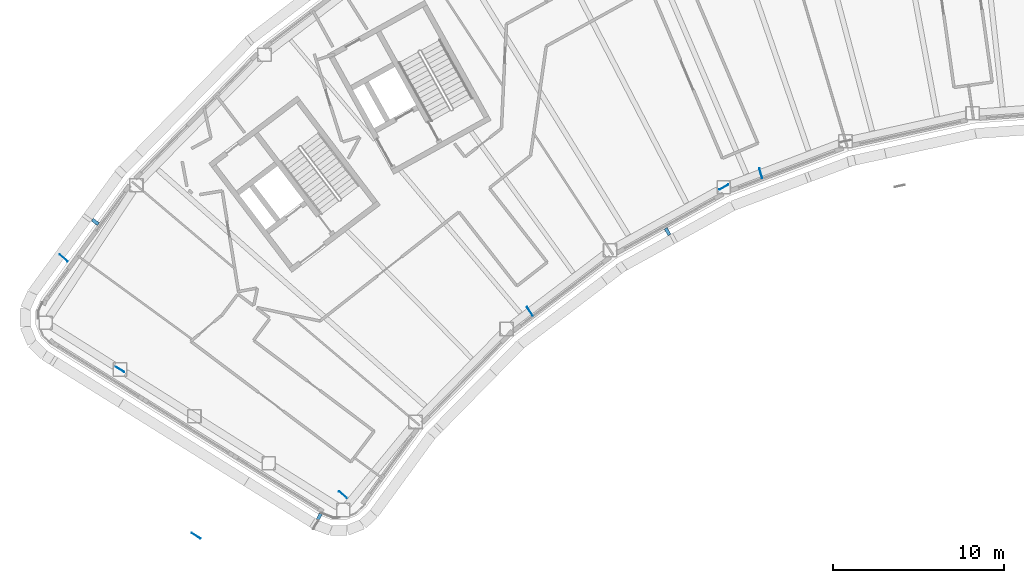
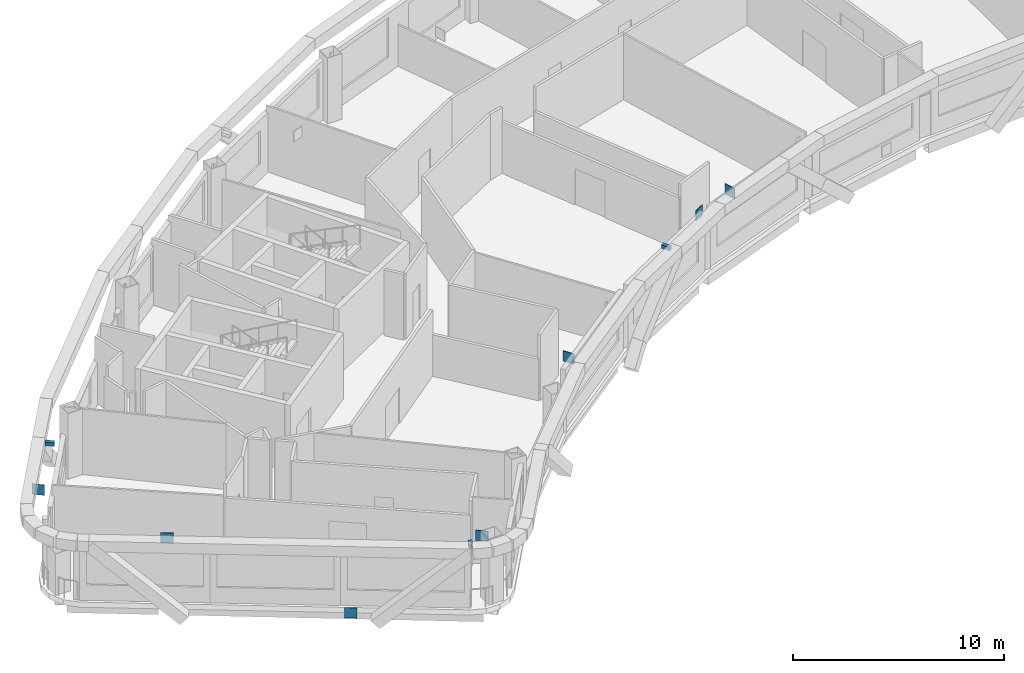
# One storey, part 13 of 21: 10 discrete accessories.
"""IFC4 building model written with IfcOpenShell, lengths in metres."""

from ifc_helpers import new_model, si_unit, direction, frame, origin, origin_2d, place, context, subcontext, project, spatial, rectangle, extrude, material, type_object, element, save


model = new_model("IFC4")

# Units and contexts
model_context = context("Model", 3, precision=1e-05, world=origin(), true_north=direction((0.0, 1.0)))
body_context = subcontext(model_context, "Body", "Model", "MODEL_VIEW")
ifc_project = project(units=[si_unit("LENGTHUNIT", "METRE"), si_unit("AREAUNIT", "SQUARE_METRE"), si_unit("VOLUMEUNIT", "CUBIC_METRE"), si_unit("PLANEANGLEUNIT", "RADIAN"), si_unit("MASSUNIT", "GRAM", prefix="KILO")], contexts=[model_context])

# Site, building, storey
site_placement = place(None, origin())
site = spatial("IfcSite", under=ifc_project, at=site_placement, CompositionType="ELEMENT")
building_placement = place(site_placement, origin())
building = spatial("IfcBuilding", under=site, at=building_placement, Name="Tuul Gate Civic Tower", CompositionType="ELEMENT")
storey_placement = place(building_placement, frame((0.0, 0.0, 273.60009765625)))
storey = spatial("IfcBuildingStorey", under=building, at=storey_placement, Name="Level 62", CompositionType="ELEMENT", Elevation=273.60009765625)

# Discrete accessories
ifc_material_1 = material(Name="Steel S355", Category="steel")
discrete_accessory_type_1 = type_object("IfcDiscreteAccessoryType", Name="Gusset plate", PredefinedType="BRACKET", material=ifc_material_1)
for number, where, z_axis, x_axis, name in (
    (1, (-49.58447265625, -16.8837890625, 2.796875), (0.0, 0.0, 1.0), (0.76282474496, -0.646605295738, 0.0), "Gusset plate"),
    (2, (-33.292724609375, -30.695556640625, 2.796630859375), (0.0, 0.0, 1.0), (-0.76282474496, 0.646605295738, 0.0), "Gusset plate"),
    (3, (-8.9033203125, -11.936279296875, 2.7958984375), (0.0, 0.0, 1.0), (-0.285169103875, 0.958477220488, 0.0), "Gusset plate"),
    (4, (-22.37841796875, -19.99755859375, 2.7958984375), (0.0, 0.0, 1.0), (-0.54674333885, 0.837300257627, 0.0), "Gusset plate"),
    (5, (-11.05517578125, -12.748291015625, 2.795654296875), (0.0, 0.0, 1.0), (-0.874598044765, -0.484848698146, 0.0), "Gusset plate"),
    (6, (-41.85498046875, -33.10009765625, 2.795654296875), (0.0, 0.0, 1.0), (-0.84627513954, 0.532746082291, 0.0), "Gusset plate"),
    (7, (-46.298095703125, -23.388916015625, 2.795654296875), (0.0, 0.0, 1.0), (0.84627513954, -0.532746082291, 0.0), "Gusset plate"),
):
    element("IfcDiscreteAccessory", number, at=place(storey_placement, frame(where, z_axis=z_axis, x_axis=x_axis)), inside=storey, type_object=discrete_accessory_type_1, Name=name, PredefinedType="BRACKET", context=body_context, shape_type="SweptSolid", body=[
        extrude(rectangle(XDim=0.60009765625, YDim=0.030029296875, at=origin_2d()), origin(), (0.0, 0.0, 1.0), 0.60009765625),
    ])
ifc_material_2 = material(Name="Stainless steel", Category="steel")
discrete_accessory_type_2 = type_object("IfcDiscreteAccessoryType", Name="Screen bracket", PredefinedType="BRACKET", material=ifc_material_2)
discrete_accessory_1_placement = place(storey_placement, frame((-47.737548828125, -14.77880859375, 3.75), z_axis=(0.0, 0.0, 1.0), x_axis=(-0.802953773948, 0.596041304695, 0.0)))
element("IfcDiscreteAccessory", 8, at=discrete_accessory_1_placement, inside=storey, type_object=discrete_accessory_type_2, Name="Screen bracket 17", PredefinedType="BRACKET", context=body_context, shape_type="SweptSolid", body=[
    extrude(rectangle(XDim=0.449951171875, YDim=0.199951171875, at=origin_2d()), origin(), (0.0, 0.0, 1.0), 0.199951171875),
])
discrete_accessory_2_placement = place(storey_placement, frame((-34.661376953125, -31.96142578125, 3.75), z_axis=(0.0, 0.0, 1.0), x_axis=(-0.44885740742, -0.893603395139, 0.0)))
element("IfcDiscreteAccessory", 9, at=discrete_accessory_2_placement, inside=storey, type_object=discrete_accessory_type_2, Name="Screen bracket 20", PredefinedType="BRACKET", context=body_context, shape_type="SweptSolid", body=[
    extrude(rectangle(XDim=0.451904296875, YDim=0.199951171875, at=origin_2d()), origin(), (0.0, 0.0, 1.0), 0.199951171875),
])
discrete_accessory_3_placement = place(storey_placement, frame((-14.340087890625, -15.341796875, 3.75), z_axis=(0.0, 0.0, 1.0), x_axis=(0.490447519859, -0.871470728289, 0.0)))
element("IfcDiscreteAccessory", 10, at=discrete_accessory_3_placement, inside=storey, type_object=discrete_accessory_type_2, Name="Screen bracket 23", PredefinedType="BRACKET", context=body_context, shape_type="SweptSolid", body=[
    extrude(rectangle(XDim=0.449951171875, YDim=0.199951171875, at=origin_2d()), origin(), (0.0, 0.0, 1.0), 0.199951171875),
])

save(model, "model.ifc")
